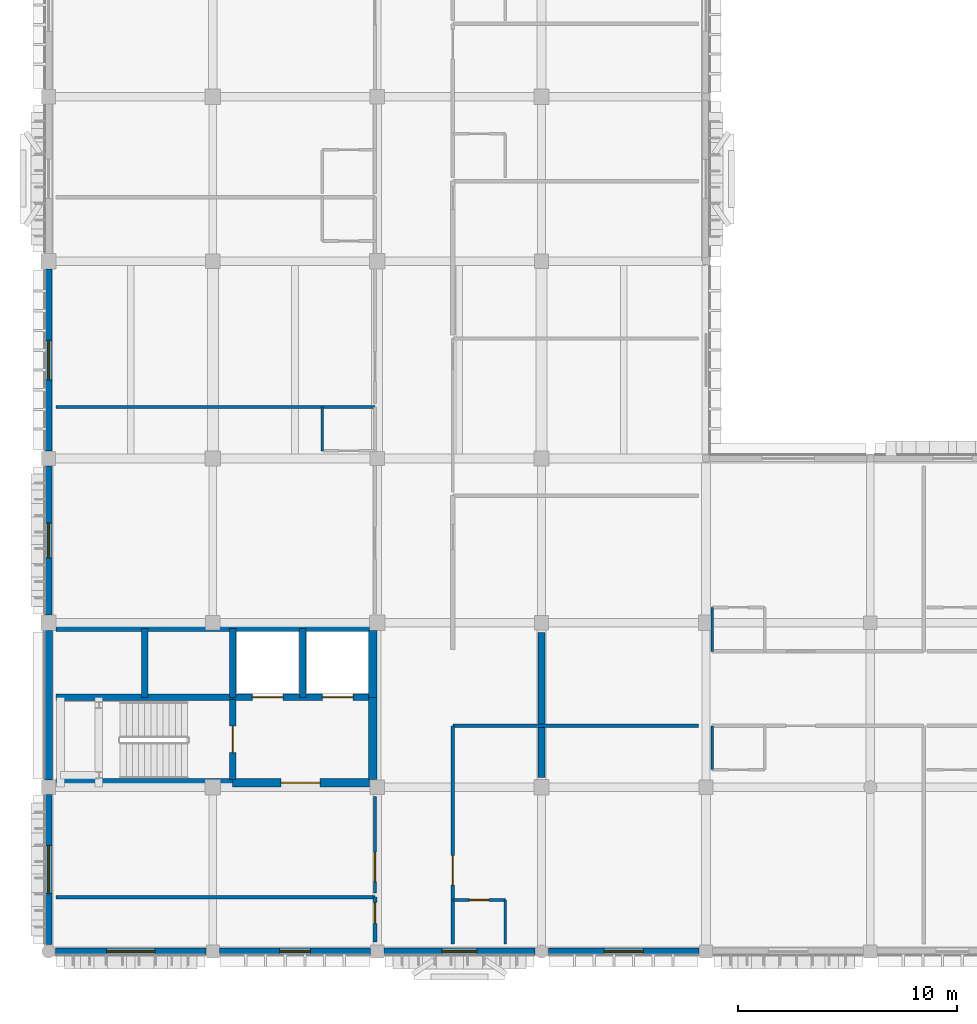
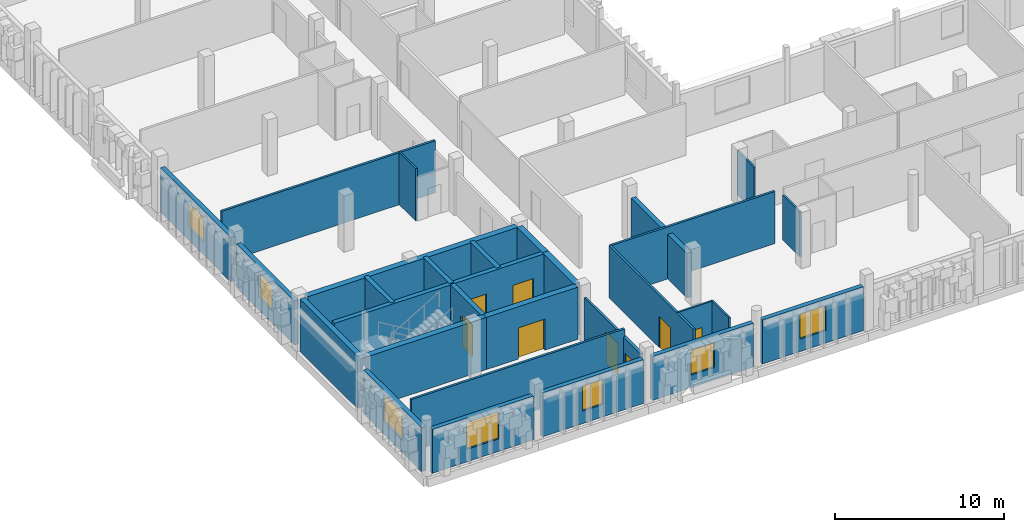
# One storey, part 15 of 48: 31 walls, 8 doors, 7 windows, 15 openings.
"""IFC4 building model written with IfcOpenShell, lengths in metres."""

from ifc_helpers import new_model, si_unit, direction, frame, frame_2d, origin, place, context, subcontext, project, spatial, rectangle, extrude, material, layer, layer_set, type_object, element, fill, save


model = new_model("IFC4")

# Units and contexts
model_context = context("Model", 3, precision=1e-05, world=origin(), true_north=direction((0.0, 1.0)))
body_context = subcontext(model_context, "Body", "Model", "MODEL_VIEW")
ifc_project = project(units=[si_unit("LENGTHUNIT", "METRE"), si_unit("AREAUNIT", "SQUARE_METRE"), si_unit("VOLUMEUNIT", "CUBIC_METRE"), si_unit("PLANEANGLEUNIT", "RADIAN"), si_unit("MASSUNIT", "GRAM", prefix="KILO")], contexts=[model_context])

# Site, building, storey
site_placement = place(None, origin())
site = spatial("IfcSite", under=ifc_project, at=site_placement, CompositionType="ELEMENT")
building_placement = place(site_placement, origin())
building = spatial("IfcBuilding", under=site, at=building_placement, Name="Dalvernix Boulevard General Hospital", CompositionType="ELEMENT")
storey_placement = place(building_placement, frame((0.0, 0.0, 17.85009765625)))
storey = spatial("IfcBuildingStorey", under=building, at=storey_placement, Name="L04", CompositionType="ELEMENT", Elevation=17.85009765625)

# Wall
ifc_material_1 = material(Name="Concrete C40/50", Category="concrete")
ifc_layer_1 = layer(ifc_material_1, 0.39990234375)
ifc_layer_set_1 = layer_set([ifc_layer_1], Name="Concrete C40/50 (WAL-CSW-01)")
wall_type_1 = type_object("IfcWallType", Name="WAL-CSW-01", PredefinedType="SHEAR", material=ifc_layer_set_1)
wall_1_placement = place(storey_placement, frame((0.35009765625, 7.699951171875, 0.0), z_axis=(0.0, 0.0, 1.0), x_axis=(1.0, 0.0, 0.0)))
element("IfcWall", 1, at=wall_1_placement, inside=storey, type_object=wall_type_1, Name="L04 C1 south stairwell wall", PredefinedType="SHEAR", context=body_context, shape_type="SweptSolid", body=[
    extrude(rectangle(XDim=8.0498046875, YDim=0.39990234375, at=frame_2d((4.02490234375, 0.0))), origin(), (0.0, 0.0, 1.0), 3.77001953125),
])

# Wall, opening, door
wall_2_placement = place(storey_placement, frame((8.39990234375, 7.699951171875, 0.0), z_axis=(0.0, 0.0, 1.0), x_axis=(1.0, 0.0, 0.0)))
wall_2 = element("IfcWall", 2, at=wall_2_placement, inside=storey, type_object=wall_type_1, Name="L04 C1 south firefighting lobby wall", PredefinedType="SHEAR", context=body_context, shape_type="SweptSolid", body=[
    extrude(rectangle(XDim=6.25, YDim=0.39990234375, at=frame_2d((3.125, 0.0))), origin(), (0.0, 0.0, 1.0), 3.77001953125),
])
opening_1_placement = place(wall_2_placement, frame((2.199951171875, 0.0, 0.0)))
opening_1 = element("IfcOpeningElement", 3, at=opening_1_placement, cuts=wall_2, Name="Opening FD-01", PredefinedType="OPENING", context=body_context, shape_type="SweptSolid", body=[
    extrude(rectangle(XDim=1.800048828125, YDim=2.25, at=frame_2d((0.89990234375, 1.125))), frame((0.0, 0.2099609375, 0.0), z_axis=(0.0, -1.0, 0.0), x_axis=(1.0, 0.0, 0.0)), (0.0, 0.0, 1.0), 0.419921875),
])
ifc_material_2 = material(Name="Hospital laminate acoustic timber and steel frame", Category="steel")
door_type_1 = type_object("IfcDoorType", Name="DR-FD-01", OperationType="DOUBLE_DOOR_SINGLE_SWING", PredefinedType="DOOR", material=ifc_material_2)
door_1_placement = place(opening_1_placement, origin())
door_1 = element("IfcDoor", 4, at=door_1_placement, inside=storey, type_object=door_type_1, Name="L04 C1 firefighting lobby door", OperationType="DOUBLE_DOOR_SINGLE_SWING", OverallHeight=2.25, OverallWidth=1.800048828125, PredefinedType="DOOR", context=body_context, shape_type="SweptSolid", body=[
    extrude(rectangle(XDim=1.800048828125, YDim=2.25, at=frame_2d((0.89990234375, 1.125))), frame((0.0, 0.02490234375, 0.0), z_axis=(0.0, -1.0, 0.0), x_axis=(1.0, 0.0, 0.0)), (0.0, 0.0, 1.0), 0.050048828125),
])
fill(opening_1, door_1)

# Walls
wall_3_placement = place(storey_placement, frame((0.35009765625, 14.800048828125, 0.0), z_axis=(0.0, 0.0, 1.0), x_axis=(1.0, 0.0, 0.0)))
element("IfcWall", 5, at=wall_3_placement, inside=storey, type_object=wall_type_1, Name="L04 C1 north shaft core wall", PredefinedType="SHEAR", context=body_context, shape_type="SweptSolid", body=[
    extrude(rectangle(XDim=14.2998046875, YDim=0.39990234375, at=frame_2d((7.14990234375, 0.0))), origin(), (0.0, 0.0, 1.0), 3.77001953125),
])
wall_4_placement = place(storey_placement, frame((14.800048828125, 7.85009765625, 0.0), z_axis=(0.0, 0.0, 1.0), x_axis=(0.0, 1.0, 0.0)))
element("IfcWall", 6, at=wall_4_placement, inside=storey, type_object=wall_type_1, Name="L04 C1 east lobby core wall", PredefinedType="SHEAR", context=body_context, shape_type="SweptSolid", body=[
    extrude(rectangle(XDim=3.75, YDim=0.39990234375, at=frame_2d((1.875, 0.0))), origin(), (0.0, 0.0, 1.0), 3.77001953125),
])
wall_5_placement = place(storey_placement, frame((14.800048828125, 11.60009765625, 0.0), z_axis=(0.0, 0.0, 1.0), x_axis=(0.0, 1.0, 0.0)))
element("IfcWall", 7, at=wall_5_placement, inside=storey, type_object=wall_type_1, Name="L04 C1 east shaft core wall", PredefinedType="SHEAR", context=body_context, shape_type="SweptSolid", body=[
    extrude(rectangle(XDim=3.0498046875, YDim=0.39990234375, at=frame_2d((1.52490234375, 0.0))), origin(), (0.0, 0.0, 1.0), 3.77001953125),
])
ifc_layer_2 = layer(ifc_material_1, 0.300048828125)
ifc_layer_set_2 = layer_set([ifc_layer_2], Name="Concrete C40/50 (WAL-CSW-02)")
wall_type_2 = type_object("IfcWallType", Name="WAL-CSW-02", PredefinedType="SHEAR", material=ifc_layer_set_2)
wall_6_placement = place(storey_placement, frame((0.35009765625, 11.60009765625, 0.0), z_axis=(0.0, 0.0, 1.0), x_axis=(1.0, 0.0, 0.0)))
element("IfcWall", 8, at=wall_6_placement, inside=storey, type_object=wall_type_2, Name="L04 C1 riser spine wall", PredefinedType="SHEAR", context=body_context, shape_type="SweptSolid", body=[
    extrude(rectangle(XDim=8.0498046875, YDim=0.300048828125, at=frame_2d((4.02490234375, 0.0))), origin(), (0.0, 0.0, 1.0), 3.77001953125),
])

# Wall, openings, doors
wall_7_placement = place(storey_placement, frame((8.39990234375, 11.60009765625, 0.0), z_axis=(0.0, 0.0, 1.0), x_axis=(1.0, 0.0, 0.0)))
wall_7 = element("IfcWall", 9, at=wall_7_placement, inside=storey, type_object=wall_type_2, Name="L04 C1 lift shaft front wall", PredefinedType="SHEAR", context=body_context, shape_type="SweptSolid", body=[
    extrude(rectangle(XDim=6.25, YDim=0.300048828125, at=frame_2d((3.125, 0.0))), origin(), (0.0, 0.0, 1.0), 3.77001953125),
])
opening_2_placement = place(wall_7_placement, frame((0.89990234375, 0.0, 0.0)))
opening_2 = element("IfcOpeningElement", 10, at=opening_2_placement, cuts=wall_7, Name="Opening LD-FFL-01-L04", PredefinedType="OPENING", context=body_context, shape_type="SweptSolid", body=[
    extrude(rectangle(XDim=1.39990234375, YDim=2.25, at=frame_2d((0.699951171875, 1.125))), frame((0.0, 0.159912109375, 0.0), z_axis=(0.0, -1.0, 0.0), x_axis=(1.0, 0.0, 0.0)), (0.0, 0.0, 1.0), 0.320068359375),
])
opening_3_placement = place(wall_7_placement, frame((4.10009765625, 0.0, 0.0)))
opening_3 = element("IfcOpeningElement", 11, at=opening_3_placement, cuts=wall_7, Name="Opening LD-FFL-02-L04", PredefinedType="OPENING", context=body_context, shape_type="SweptSolid", body=[
    extrude(rectangle(XDim=1.39990234375, YDim=2.25, at=frame_2d((0.699951171875, 1.125))), frame((0.0, 0.159912109375, 0.0), z_axis=(0.0, -1.0, 0.0), x_axis=(1.0, 0.0, 0.0)), (0.0, 0.0, 1.0), 0.320068359375),
])
ifc_material_3 = material(Name="Stainless-clad steel", Category="steel")
door_type_2 = type_object("IfcDoorType", Name="DR-LD-01", OperationType="DOUBLE_DOOR_SLIDING", PredefinedType="DOOR", material=ifc_material_3)
door_2_placement = place(opening_2_placement, origin())
door_2 = element("IfcDoor", 12, at=door_2_placement, inside=storey, type_object=door_type_2, Name="L04 Lift FFL-01 sliding landing door", OperationType="DOUBLE_DOOR_SLIDING", OverallHeight=2.25, OverallWidth=1.39990234375, PredefinedType="DOOR", context=body_context, shape_type="SweptSolid", body=[
    extrude(rectangle(XDim=1.39990234375, YDim=2.25, at=frame_2d((0.699951171875, 1.125))), frame((0.0, 0.02490234375, 0.0), z_axis=(0.0, -1.0, 0.0), x_axis=(1.0, 0.0, 0.0)), (0.0, 0.0, 1.0), 0.050048828125),
])
fill(opening_2, door_2)
door_3_placement = place(opening_3_placement, origin())
door_3 = element("IfcDoor", 13, at=door_3_placement, inside=storey, type_object=door_type_2, Name="L04 Lift FFL-02 sliding landing door", OperationType="DOUBLE_DOOR_SLIDING", OverallHeight=2.25, OverallWidth=1.39990234375, PredefinedType="DOOR", context=body_context, shape_type="SweptSolid", body=[
    extrude(rectangle(XDim=1.39990234375, YDim=2.25, at=frame_2d((0.699951171875, 1.125))), frame((0.0, 0.02490234375, 0.0), z_axis=(0.0, -1.0, 0.0), x_axis=(1.0, 0.0, 0.0)), (0.0, 0.0, 1.0), 0.050048828125),
])
fill(opening_3, door_3)

# Wall, opening, door
wall_8_placement = place(storey_placement, frame((8.39990234375, 11.5, 0.0), z_axis=(0.0, 0.0, 1.0), x_axis=(0.0, -1.0, 0.0)))
wall_8 = element("IfcWall", 14, at=wall_8_placement, inside=storey, type_object=wall_type_2, Name="L04 C1 stairwell fire wall", PredefinedType="SHEAR", context=body_context, shape_type="SweptSolid", body=[
    extrude(rectangle(XDim=3.64990234375, YDim=0.300048828125, at=frame_2d((1.824951171875, 0.0))), origin(), (0.0, 0.0, 1.0), 3.77001953125),
])
opening_4_placement = place(wall_8_placement, frame((1.219970703125, 0.0, 0.0)))
opening_4 = element("IfcOpeningElement", 15, at=opening_4_placement, cuts=wall_8, Name="Opening FD-02", PredefinedType="OPENING", context=body_context, shape_type="SweptSolid", body=[
    extrude(rectangle(XDim=1.199951171875, YDim=2.25, at=frame_2d((0.60009765625, 1.125))), frame((0.0, 0.159912109375, 0.0), z_axis=(0.0, -1.0, 0.0), x_axis=(1.0, 0.0, 0.0)), (0.0, 0.0, 1.0), 0.320068359375),
])
door_type_3 = type_object("IfcDoorType", Name="DR-FD-02", OperationType="NOTDEFINED", PredefinedType="DOOR", material=ifc_material_2)
door_4_placement = place(opening_4_placement, origin())
door_4 = element("IfcDoor", 16, at=door_4_placement, inside=storey, type_object=door_type_3, Name="L04 Stair ST-01 fire door", OperationType="SINGLE_SWING_RIGHT", OverallHeight=2.25, OverallWidth=1.199951171875, PredefinedType="DOOR", context=body_context, shape_type="SweptSolid", body=[
    extrude(rectangle(XDim=1.199951171875, YDim=2.25, at=frame_2d((0.60009765625, 1.125))), frame((0.0, 0.02490234375, 0.0), z_axis=(0.0, -1.0, 0.0), x_axis=(1.0, 0.0, 0.0)), (0.0, 0.0, 1.0), 0.050048828125),
])
fill(opening_4, door_4)

# Walls
for number, where, z_axis, x_axis, name in (
    (17, (4.39990234375, 11.60009765625, 0.0), (0.0, 0.0, 1.0), (0.0, 1.0, 0.0), "L04 C1 shaft divider R1"),
    (18, (8.39990234375, 11.60009765625, 0.0), (0.0, 0.0, 1.0), (0.0, 1.0, 0.0), "L04 C1 shaft divider R2"),
    (19, (11.60009765625, 11.60009765625, 0.0), (0.0, 0.0, 1.0), (0.0, 1.0, 0.0), "L04 C1 shaft divider L1"),
):
    element("IfcWall", number, at=place(storey_placement, frame(where, z_axis=z_axis, x_axis=x_axis)), inside=storey, type_object=wall_type_2, Name=name, PredefinedType="SHEAR", context=body_context, shape_type="SweptSolid", body=[
        extrude(rectangle(XDim=3.14990234375, YDim=0.300048828125, at=frame_2d((1.574951171875, 0.0))), origin(), (0.0, 0.0, 1.0), 3.77001953125),
    ])
ifc_layer_3 = layer(ifc_material_1, 0.35009765625)
ifc_layer_set_3 = layer_set([ifc_layer_3], Name="Concrete C40/50 (WAL-ESW-01)")
wall_type_3 = type_object("IfcWallType", Name="WAL-ESW-01", PredefinedType="SHEAR", material=ifc_layer_set_3)
wall_9_placement = place(storey_placement, frame((0.0, 7.8349609375, 0.0), z_axis=(0.0, 0.0, 1.0), x_axis=(0.0, 1.0, 0.0)))
element("IfcWall", 20, at=wall_9_placement, inside=storey, type_object=wall_type_3, Name="L04 core perimeter shear wall W 0-1", PredefinedType="SHEAR", context=body_context, shape_type="SweptSolid", body=[
    extrude(rectangle(XDim=6.804931640625, YDim=0.35009765625, at=frame_2d((3.40234375, 0.0))), origin(), (0.0, 0.0, 1.0), 3.77001953125),
])
ifc_layer_4 = layer(ifc_material_1, 0.320068359375)
ifc_layer_set_4 = layer_set([ifc_layer_4], Name="Concrete C40/50 (WAL-ESW-02)")
wall_type_4 = type_object("IfcWallType", Name="WAL-ESW-02", PredefinedType="SHEAR", material=ifc_layer_set_4)
wall_10_placement = place(storey_placement, frame((22.5, 7.949951171875, 0.0), z_axis=(0.0, 0.0, 1.0), x_axis=(0.0, 1.0, 0.0)))
element("IfcWall", 21, at=wall_10_placement, inside=storey, type_object=wall_type_4, Name="L04 reinforced concrete shear wall 1", PredefinedType="SHEAR", context=body_context, shape_type="SweptSolid", body=[
    extrude(rectangle(XDim=6.60009765625, YDim=0.320068359375, at=frame_2d((3.300048828125, 0.0))), origin(), (0.0, 0.0, 1.0), 3.219970703125),
])

# Wall, opening, window
ifc_material_4 = material(Name="Pressed Catalan clay brick and ceramic spandrel wall C35/45", Category="masonry")
ifc_layer_5 = layer(ifc_material_4, 0.300048828125)
ifc_layer_set_5 = layer_set([ifc_layer_5], Name="Pressed Catalan clay brick and ceramic spandrel wall C35/45 (WAL-EW-02)")
wall_type_5 = type_object("IfcWallType", Name="WAL-EW-02", PredefinedType="STANDARD", material=ifc_layer_set_5)
wall_11_placement = place(storey_placement, frame((7.18994140625, 0.0, 0.0), z_axis=(0.0, 0.0, 1.0), x_axis=(-1.0, 0.0, 0.0)))
wall_11 = element("IfcWall", 22, at=wall_11_placement, inside=storey, type_object=wall_type_5, Name="L04 Catalan brick external wall S 0-0", PredefinedType="STANDARD", context=body_context, shape_type="SweptSolid", body=[
    extrude(rectangle(XDim=6.8798828125, YDim=0.300048828125, at=frame_2d((3.43994140625, 0.0))), origin(), (0.0, 0.0, 1.0), 3.169921875),
])
opening_5_placement = place(wall_11_placement, frame((2.340087890625, 0.0, 0.89990234375)))
opening_5 = element("IfcOpeningElement", 23, at=opening_5_placement, cuts=wall_11, Name="Opening WN-13", PredefinedType="OPENING", context=body_context, shape_type="SweptSolid", body=[
    extrude(rectangle(XDim=2.199951171875, YDim=1.949951171875, at=frame_2d((1.10009765625, 0.97509765625))), frame((0.0, 0.159912109375, 0.0), z_axis=(0.0, -1.0, 0.0), x_axis=(1.0, 0.0, 0.0)), (0.0, 0.0, 1.0), 0.320068359375),
])
ifc_material_5 = material(Name="Thermally broken aluminium frame with solar-control double glazing", Category="aluminium")
window_type_1 = type_object("IfcWindowType", Name="WIN-WN-13", PartitioningType="SINGLE_PANEL", PredefinedType="WINDOW", material=ifc_material_5)
window_1_placement = place(opening_5_placement, origin())
window_1 = element("IfcWindow", 24, at=window_1_placement, inside=storey, type_object=window_type_1, Name="L04 clinical window WN-13 S 0-0", OverallHeight=1.949951171875, OverallWidth=2.199951171875, PartitioningType="SINGLE_PANEL", PredefinedType="WINDOW", context=body_context, shape_type="SweptSolid", body=[
    extrude(rectangle(XDim=2.199951171875, YDim=1.949951171875, at=frame_2d((1.10009765625, 0.97509765625))), frame((0.0, 0.030029296875, 0.0), z_axis=(0.0, -1.0, 0.0), x_axis=(1.0, 0.0, 0.0)), (0.0, 0.0, 1.0), 0.06005859375),
])
fill(opening_5, window_1)

wall_12_placement = place(storey_placement, frame((0.0, 0.31005859375, 0.0), z_axis=(0.0, 0.0, 1.0), x_axis=(0.0, 1.0, 0.0)))
wall_12 = element("IfcWall", 25, at=wall_12_placement, inside=storey, type_object=wall_type_5, Name="L04 Catalan brick external wall W 0-0", PredefinedType="STANDARD", context=body_context, shape_type="SweptSolid", body=[
    extrude(rectangle(XDim=6.85498046875, YDim=0.300048828125, at=frame_2d((3.427490234375, 0.0))), origin(), (0.0, 0.0, 1.0), 3.169921875),
])
opening_6_placement = place(wall_12_placement, frame((2.327392578125, 0.0, 0.89990234375)))
opening_6 = element("IfcOpeningElement", 26, at=opening_6_placement, cuts=wall_12, Name="Opening WN-13", PredefinedType="OPENING", context=body_context, shape_type="SweptSolid", body=[
    extrude(rectangle(XDim=2.199951171875, YDim=1.949951171875, at=frame_2d((1.10009765625, 0.97509765625))), frame((0.0, 0.159912109375, 0.0), z_axis=(0.0, -1.0, 0.0), x_axis=(1.0, 0.0, 0.0)), (0.0, 0.0, 1.0), 0.320068359375),
])
window_2_placement = place(opening_6_placement, origin())
window_2 = element("IfcWindow", 27, at=window_2_placement, inside=storey, type_object=window_type_1, Name="L04 clinical window WN-13 W 0-0", OverallHeight=1.949951171875, OverallWidth=2.199951171875, PartitioningType="SINGLE_PANEL", PredefinedType="WINDOW", context=body_context, shape_type="SweptSolid", body=[
    extrude(rectangle(XDim=2.199951171875, YDim=1.949951171875, at=frame_2d((1.10009765625, 0.97509765625))), frame((0.0, 0.030029296875, 0.0), z_axis=(0.0, -1.0, 0.0), x_axis=(1.0, 0.0, 0.0)), (0.0, 0.0, 1.0), 0.06005859375),
])
fill(opening_6, window_2)

wall_13_placement = place(storey_placement, frame((0.0, 15.360107421875, 0.0), z_axis=(0.0, 0.0, 1.0), x_axis=(0.0, 1.0, 0.0)))
wall_13 = element("IfcWall", 28, at=wall_13_placement, inside=storey, type_object=wall_type_5, Name="L04 Catalan brick external wall W 0-2", PredefinedType="STANDARD", context=body_context, shape_type="SweptSolid", body=[
    extrude(rectangle(XDim=6.804931640625, YDim=0.300048828125, at=frame_2d((3.40234375, 0.0))), origin(), (0.0, 0.0, 1.0), 3.169921875),
])
opening_7_placement = place(wall_13_placement, frame((2.6025390625, 0.0, 0.89990234375)))
opening_7 = element("IfcOpeningElement", 29, at=opening_7_placement, cuts=wall_13, Name="Opening WN-15", PredefinedType="OPENING", context=body_context, shape_type="SweptSolid", body=[
    extrude(rectangle(XDim=1.60009765625, YDim=1.800048828125, at=frame_2d((0.800048828125, 0.89990234375))), frame((0.0, 0.159912109375, 0.0), z_axis=(0.0, -1.0, 0.0), x_axis=(1.0, 0.0, 0.0)), (0.0, 0.0, 1.0), 0.320068359375),
])
window_type_2 = type_object("IfcWindowType", Name="WIN-WN-15", PartitioningType="SINGLE_PANEL", PredefinedType="WINDOW", material=ifc_material_5)
window_3_placement = place(opening_7_placement, origin())
window_3 = element("IfcWindow", 30, at=window_3_placement, inside=storey, type_object=window_type_2, Name="L04 clinical window WN-15 W 0-2", OverallHeight=1.800048828125, OverallWidth=1.60009765625, PartitioningType="SINGLE_PANEL", PredefinedType="WINDOW", context=body_context, shape_type="SweptSolid", body=[
    extrude(rectangle(XDim=1.60009765625, YDim=1.800048828125, at=frame_2d((0.800048828125, 0.89990234375))), frame((0.0, 0.030029296875, 0.0), z_axis=(0.0, -1.0, 0.0), x_axis=(1.0, 0.0, 0.0)), (0.0, 0.0, 1.0), 0.06005859375),
])
fill(opening_7, window_3)

wall_14_placement = place(storey_placement, frame((0.0, 22.8349609375, 0.0), z_axis=(0.0, 0.0, 1.0), x_axis=(0.0, 1.0, 0.0)))
wall_14 = element("IfcWall", 31, at=wall_14_placement, inside=storey, type_object=wall_type_5, Name="L04 Catalan brick external wall W 0-3", PredefinedType="STANDARD", context=body_context, shape_type="SweptSolid", body=[
    extrude(rectangle(XDim=8.304931640625, YDim=0.300048828125, at=frame_2d((4.15234375, 0.0))), origin(), (0.0, 0.0, 1.0), 3.219970703125),
])
opening_8_placement = place(wall_14_placement, frame((3.25244140625, 0.0, 0.89990234375)))
opening_8 = element("IfcOpeningElement", 32, at=opening_8_placement, cuts=wall_14, Name="Opening WN-16", PredefinedType="OPENING", context=body_context, shape_type="SweptSolid", body=[
    extrude(rectangle(XDim=1.800048828125, YDim=1.800048828125, at=frame_2d((0.89990234375, 0.89990234375))), frame((0.0, 0.159912109375, 0.0), z_axis=(0.0, -1.0, 0.0), x_axis=(1.0, 0.0, 0.0)), (0.0, 0.0, 1.0), 0.320068359375),
])
window_type_3 = type_object("IfcWindowType", Name="WIN-WN-16", PartitioningType="SINGLE_PANEL", PredefinedType="WINDOW", material=ifc_material_5)
window_4_placement = place(opening_8_placement, origin())
window_4 = element("IfcWindow", 33, at=window_4_placement, inside=storey, type_object=window_type_3, Name="L04 clinical window WN-16 W 0-3", OverallHeight=1.800048828125, OverallWidth=1.800048828125, PartitioningType="SINGLE_PANEL", PredefinedType="WINDOW", context=body_context, shape_type="SweptSolid", body=[
    extrude(rectangle(XDim=1.800048828125, YDim=1.800048828125, at=frame_2d((0.89990234375, 0.89990234375))), frame((0.0, 0.030029296875, 0.0), z_axis=(0.0, -1.0, 0.0), x_axis=(1.0, 0.0, 0.0)), (0.0, 0.0, 1.0), 0.06005859375),
])
fill(opening_8, window_4)

wall_15_placement = place(storey_placement, frame((14.68994140625, 0.0, 0.0), z_axis=(0.0, 0.0, 1.0), x_axis=(-1.0, 0.0, 0.0)))
wall_15 = element("IfcWall", 34, at=wall_15_placement, inside=storey, type_object=wall_type_5, Name="L04 Catalan brick external wall S 1-0", PredefinedType="STANDARD", context=body_context, shape_type="SweptSolid", body=[
    extrude(rectangle(XDim=6.8798828125, YDim=0.300048828125, at=frame_2d((3.43994140625, 0.0))), origin(), (0.0, 0.0, 1.0), 3.169921875),
])
opening_9_placement = place(wall_15_placement, frame((2.739990234375, 0.0, 0.89990234375)))
opening_9 = element("IfcOpeningElement", 35, at=opening_9_placement, cuts=wall_15, Name="Opening WN-14", PredefinedType="OPENING", context=body_context, shape_type="SweptSolid", body=[
    extrude(rectangle(XDim=1.39990234375, YDim=1.800048828125, at=frame_2d((0.699951171875, 0.89990234375))), frame((0.0, 0.159912109375, 0.0), z_axis=(0.0, -1.0, 0.0), x_axis=(1.0, 0.0, 0.0)), (0.0, 0.0, 1.0), 0.320068359375),
])
window_type_4 = type_object("IfcWindowType", Name="WIN-WN-14", PartitioningType="SINGLE_PANEL", PredefinedType="WINDOW", material=ifc_material_5)
window_5_placement = place(opening_9_placement, origin())
window_5 = element("IfcWindow", 36, at=window_5_placement, inside=storey, type_object=window_type_4, Name="L04 clinical window WN-14 S 1-0", OverallHeight=1.800048828125, OverallWidth=1.39990234375, PartitioningType="SINGLE_PANEL", PredefinedType="WINDOW", context=body_context, shape_type="SweptSolid", body=[
    extrude(rectangle(XDim=1.39990234375, YDim=1.800048828125, at=frame_2d((0.699951171875, 0.89990234375))), frame((0.0, 0.030029296875, 0.0), z_axis=(0.0, -1.0, 0.0), x_axis=(1.0, 0.0, 0.0)), (0.0, 0.0, 1.0), 0.06005859375),
])
fill(opening_9, window_5)

wall_16_placement = place(storey_placement, frame((22.18994140625, 0.0, 0.0), z_axis=(0.0, 0.0, 1.0), x_axis=(-1.0, 0.0, 0.0)))
wall_16 = element("IfcWall", 37, at=wall_16_placement, inside=storey, type_object=wall_type_5, Name="L04 Catalan brick external wall S 2-0", PredefinedType="STANDARD", context=body_context, shape_type="SweptSolid", body=[
    extrude(rectangle(XDim=6.8798828125, YDim=0.300048828125, at=frame_2d((3.43994140625, 0.0))), origin(), (0.0, 0.0, 1.0), 3.169921875),
])
opening_10_placement = place(wall_16_placement, frame((2.639892578125, 0.0, 0.89990234375)))
opening_10 = element("IfcOpeningElement", 38, at=opening_10_placement, cuts=wall_16, Name="Opening WN-15", PredefinedType="OPENING", context=body_context, shape_type="SweptSolid", body=[
    extrude(rectangle(XDim=1.60009765625, YDim=1.800048828125, at=frame_2d((0.800048828125, 0.89990234375))), frame((0.0, 0.159912109375, 0.0), z_axis=(0.0, -1.0, 0.0), x_axis=(1.0, 0.0, 0.0)), (0.0, 0.0, 1.0), 0.320068359375),
])
window_6_placement = place(opening_10_placement, origin())
window_6 = element("IfcWindow", 39, at=window_6_placement, inside=storey, type_object=window_type_2, Name="L04 clinical window WN-15 S 2-0", OverallHeight=1.800048828125, OverallWidth=1.60009765625, PartitioningType="SINGLE_PANEL", PredefinedType="WINDOW", context=body_context, shape_type="SweptSolid", body=[
    extrude(rectangle(XDim=1.60009765625, YDim=1.800048828125, at=frame_2d((0.800048828125, 0.89990234375))), frame((0.0, 0.030029296875, 0.0), z_axis=(0.0, -1.0, 0.0), x_axis=(1.0, 0.0, 0.0)), (0.0, 0.0, 1.0), 0.06005859375),
])
fill(opening_10, window_6)

wall_17_placement = place(storey_placement, frame((29.68994140625, 0.0, 0.0), z_axis=(0.0, 0.0, 1.0), x_axis=(-1.0, 0.0, 0.0)))
wall_17 = element("IfcWall", 40, at=wall_17_placement, inside=storey, type_object=wall_type_5, Name="L04 Catalan brick external wall S 3-0", PredefinedType="STANDARD", context=body_context, shape_type="SweptSolid", body=[
    extrude(rectangle(XDim=6.8798828125, YDim=0.300048828125, at=frame_2d((3.43994140625, 0.0))), origin(), (0.0, 0.0, 1.0), 3.169921875),
])
opening_11_placement = place(wall_17_placement, frame((2.5400390625, 0.0, 0.89990234375)))
opening_11 = element("IfcOpeningElement", 41, at=opening_11_placement, cuts=wall_17, Name="Opening WN-16", PredefinedType="OPENING", context=body_context, shape_type="SweptSolid", body=[
    extrude(rectangle(XDim=1.800048828125, YDim=1.800048828125, at=frame_2d((0.89990234375, 0.89990234375))), frame((0.0, 0.159912109375, 0.0), z_axis=(0.0, -1.0, 0.0), x_axis=(1.0, 0.0, 0.0)), (0.0, 0.0, 1.0), 0.320068359375),
])
window_7_placement = place(opening_11_placement, origin())
window_7 = element("IfcWindow", 42, at=window_7_placement, inside=storey, type_object=window_type_3, Name="L04 clinical window WN-16 S 3-0", OverallHeight=1.800048828125, OverallWidth=1.800048828125, PartitioningType="SINGLE_PANEL", PredefinedType="WINDOW", context=body_context, shape_type="SweptSolid", body=[
    extrude(rectangle(XDim=1.800048828125, YDim=1.800048828125, at=frame_2d((0.89990234375, 0.89990234375))), frame((0.0, 0.030029296875, 0.0), z_axis=(0.0, -1.0, 0.0), x_axis=(1.0, 0.0, 0.0)), (0.0, 0.0, 1.0), 0.06005859375),
])
fill(opening_11, window_7)

# Wall, opening, door
ifc_material_6 = material(Name="Fire-compartment corridor masonry wall", Category="masonry")
ifc_layer_6 = layer(ifc_material_6, 0.199951171875)
ifc_layer_set_6 = layer_set([ifc_layer_6], Name="Fire-compartment corridor masonry wall (WAL-IW-02)")
wall_type_6 = type_object("IfcWallType", Name="WAL-IW-02", PredefinedType="STANDARD", material=ifc_layer_set_6)
wall_18_placement = place(storey_placement, frame((14.89990234375, 0.429931640625, 0.0), z_axis=(0.0, 0.0, 1.0), x_axis=(0.0, 1.0, 0.0)))
wall_18 = element("IfcWall", 43, at=wall_18_placement, inside=storey, type_object=wall_type_6, Name="L04 Accessible Public WC L04 West corridor wall", PredefinedType="STANDARD", context=body_context, shape_type="SweptSolid", body=[
    extrude(rectangle(XDim=2.050048828125, YDim=0.199951171875, at=frame_2d((1.02490234375, 0.0))), origin(), (0.0, 0.0, 1.0), 3.204833984375),
])
opening_12_placement = place(wall_18_placement, frame((0.85009765625, 0.0, 0.0)))
opening_12 = element("IfcOpeningElement", 44, at=opening_12_placement, cuts=wall_18, Name="Opening ID-06", PredefinedType="OPENING", context=body_context, shape_type="SweptSolid", body=[
    extrude(rectangle(XDim=0.949951171875, YDim=2.14990234375, at=frame_2d((0.47509765625, 1.074951171875))), frame((0.0, 0.10986328125, 0.0), z_axis=(0.0, -1.0, 0.0), x_axis=(1.0, 0.0, 0.0)), (0.0, 0.0, 1.0), 0.219970703125),
])
door_type_4 = type_object("IfcDoorType", Name="DR-ID-06", OperationType="NOTDEFINED", PredefinedType="DOOR", material=ifc_material_2)
door_5_placement = place(opening_12_placement, origin())
door_5 = element("IfcDoor", 45, at=door_5_placement, inside=storey, type_object=door_type_4, Name="L04 Accessible Public WC L04 West door", OperationType="SINGLE_SWING_LEFT", OverallHeight=2.14990234375, OverallWidth=0.949951171875, PredefinedType="DOOR", context=body_context, shape_type="SweptSolid", body=[
    extrude(rectangle(XDim=0.949951171875, YDim=2.14990234375, at=frame_2d((0.47509765625, 1.074951171875))), frame((0.0, 0.02490234375, 0.0), z_axis=(0.0, -1.0, 0.0), x_axis=(1.0, 0.0, 0.0)), (0.0, 0.0, 1.0), 0.050048828125),
])
fill(opening_12, door_5)

ifc_material_7 = material(Name="Acoustic double-stud gypsum inpatient partition")
ifc_layer_7 = layer(ifc_material_7, 0.14990234375)
ifc_layer_set_7 = layer_set([ifc_layer_7], Name="Acoustic double-stud gypsum inpatient partition (WAL-IW-04)")
wall_type_7 = type_object("IfcWallType", Name="WAL-IW-04", PredefinedType="PARTITIONING", material=ifc_layer_set_7)
wall_19_placement = place(storey_placement, frame((14.89990234375, 2.679931640625, 0.0), z_axis=(0.0, 0.0, 1.0), x_axis=(0.0, 1.0, 0.0)))
wall_19 = element("IfcWall", 46, at=wall_19_placement, inside=storey, type_object=wall_type_7, Name="L04 On-Call Duty Room L04 corridor wall", PredefinedType="PARTITIONING", context=body_context, shape_type="SweptSolid", body=[
    extrude(rectangle(XDim=4.39013671875, YDim=0.14990234375, at=frame_2d((2.195068359375, 0.0))), origin(), (0.0, 0.0, 1.0), 3.204833984375),
])
opening_13_placement = place(wall_19_placement, frame((0.50390625, 0.0, 0.0)))
opening_13 = element("IfcOpeningElement", 47, at=opening_13_placement, cuts=wall_19, Name="Opening ID-01", PredefinedType="OPENING", context=body_context, shape_type="SweptSolid", body=[
    extrude(rectangle(XDim=1.35009765625, YDim=2.25, at=frame_2d((0.675048828125, 1.125))), frame((0.0, 0.0849609375, 0.0), z_axis=(0.0, -1.0, 0.0), x_axis=(1.0, 0.0, 0.0)), (0.0, 0.0, 1.0), 0.169921875),
])
door_type_5 = type_object("IfcDoorType", Name="DR-ID-01", OperationType="NOTDEFINED", PredefinedType="DOOR", material=ifc_material_2)
door_6_placement = place(opening_13_placement, origin())
door_6 = element("IfcDoor", 48, at=door_6_placement, inside=storey, type_object=door_type_5, Name="L04 On-Call Duty Room L04 door", OperationType="SINGLE_SWING_RIGHT", OverallHeight=2.25, OverallWidth=1.35009765625, PredefinedType="DOOR", context=body_context, shape_type="SweptSolid", body=[
    extrude(rectangle(XDim=1.35009765625, YDim=2.25, at=frame_2d((0.675048828125, 1.125))), frame((0.0, 0.02490234375, 0.0), z_axis=(0.0, -1.0, 0.0), x_axis=(1.0, 0.0, 0.0)), (0.0, 0.0, 1.0), 0.050048828125),
])
fill(opening_13, door_6)

wall_20_placement = place(storey_placement, frame((18.449951171875, 10.300048828125, 0.0), z_axis=(0.0, 0.0, 1.0), x_axis=(0.0, -1.0, 0.0)))
wall_20 = element("IfcWall", 49, at=wall_20_placement, inside=storey, type_object=wall_type_7, Name="L04 Single Patient Room L04-ES0 corridor wall", PredefinedType="PARTITIONING", context=body_context, shape_type="SweptSolid", body=[
    extrude(rectangle(XDim=9.949951171875, YDim=0.14990234375, at=frame_2d((4.97509765625, 0.0))), origin(), (0.0, 0.0, 1.0), 3.7548828125),
])
opening_14_placement = place(wall_20_placement, frame((5.919921875, 0.0, 0.0)))
opening_14 = element("IfcOpeningElement", 50, at=opening_14_placement, cuts=wall_20, Name="Opening ID-01", PredefinedType="OPENING", context=body_context, shape_type="SweptSolid", body=[
    extrude(rectangle(XDim=1.35009765625, YDim=2.25, at=frame_2d((0.675048828125, 1.125))), frame((0.0, 0.0849609375, 0.0), z_axis=(0.0, -1.0, 0.0), x_axis=(1.0, 0.0, 0.0)), (0.0, 0.0, 1.0), 0.169921875),
])
door_7_placement = place(opening_14_placement, origin())
door_7 = element("IfcDoor", 51, at=door_7_placement, inside=storey, type_object=door_type_5, Name="L04 Single Patient Room L04-ES0 door", OperationType="SINGLE_SWING_LEFT", OverallHeight=2.25, OverallWidth=1.35009765625, PredefinedType="DOOR", context=body_context, shape_type="SweptSolid", body=[
    extrude(rectangle(XDim=1.35009765625, YDim=2.25, at=frame_2d((0.675048828125, 1.125))), frame((0.0, 0.02490234375, 0.0), z_axis=(0.0, -1.0, 0.0), x_axis=(1.0, 0.0, 0.0)), (0.0, 0.0, 1.0), 0.050048828125),
])
fill(opening_14, door_7)

# Walls
for number, where, z_axis, x_axis, name in (
    (52, (0.35009765625, 2.47998046875, 0.0), (0.0, 0.0, 1.0), (1.0, 0.0, 0.0), "L04 Accessible Public WC L04 West partition"),
    (53, (0.35009765625, 24.844970703125, 0.0), (0.0, 0.0, 1.0), (1.0, 0.0, 0.0), "L04 Four Bed Medical Inpatient Ward L04-W02 partition"),
):
    element("IfcWall", number, at=place(storey_placement, frame(where, z_axis=z_axis, x_axis=x_axis)), inside=storey, type_object=wall_type_7, Name=name, PredefinedType="PARTITIONING", context=body_context, shape_type="SweptSolid", body=[
        extrude(rectangle(XDim=14.5498046875, YDim=0.14990234375, at=frame_2d((7.27490234375, 0.0))), origin(), (0.0, 0.0, 1.0), 3.7548828125),
    ])
wall_21_placement = place(storey_placement, frame((18.449951171875, 10.300048828125, 0.0), z_axis=(0.0, 0.0, 1.0), x_axis=(1.0, 0.0, 0.0)))
element("IfcWall", 54, at=wall_21_placement, inside=storey, type_object=wall_type_7, Name="L04 Single Patient Room L04-ES0 partition", PredefinedType="PARTITIONING", context=body_context, shape_type="SweptSolid", body=[
    extrude(rectangle(XDim=11.199951171875, YDim=0.14990234375, at=frame_2d((5.60009765625, 0.0))), origin(), (0.0, 0.0, 1.0), 3.7548828125),
])
ifc_material_8 = material(Name="Moisture-resistant en-suite bathroom partition")
ifc_layer_8 = layer(ifc_material_8, 0.1201171875)
ifc_layer_set_8 = layer_set([ifc_layer_8], Name="Moisture-resistant en-suite bathroom partition (WAL-IW-05)")
wall_type_8 = type_object("IfcWallType", Name="WAL-IW-05", PredefinedType="PARTITIONING", material=ifc_layer_set_8)
wall_22_placement = place(storey_placement, frame((12.5, 22.844970703125, 0.0), z_axis=(0.0, 0.0, 1.0), x_axis=(0.0, 1.0, 0.0)))
element("IfcWall", 55, at=wall_22_placement, inside=storey, type_object=wall_type_8, Name="L04 en-suite bathroom side wall", PredefinedType="PARTITIONING", context=body_context, shape_type="SweptSolid", body=[
    extrude(rectangle(XDim=2.0, YDim=0.1201171875, at=frame_2d((1.0, 0.0))), origin(), (0.0, 0.0, 1.0), 3.7548828125),
])

# Wall, opening, door
wall_23_placement = place(storey_placement, frame((20.85009765625, 2.35009765625, 0.0), z_axis=(0.0, 0.0, 1.0), x_axis=(-1.0, 0.0, 0.0)))
wall_23 = element("IfcWall", 56, at=wall_23_placement, inside=storey, type_object=wall_type_8, Name="L04 en-suite bathroom door wall", PredefinedType="PARTITIONING", context=body_context, shape_type="SweptSolid", body=[
    extrude(rectangle(XDim=2.400146484375, YDim=0.1201171875, at=frame_2d((1.2001953125, 0.0))), origin(), (0.0, 0.0, 1.0), 3.7548828125),
])
opening_15_placement = place(wall_23_placement, frame((0.75, 0.0, 0.0)))
opening_15 = element("IfcOpeningElement", 57, at=opening_15_placement, cuts=wall_23, Name="Opening ID-05", PredefinedType="OPENING", context=body_context, shape_type="SweptSolid", body=[
    extrude(rectangle(XDim=0.89990234375, YDim=2.10009765625, at=frame_2d((0.449951171875, 1.050048828125))), frame((0.0, 0.070068359375, 0.0), z_axis=(0.0, -1.0, 0.0), x_axis=(1.0, 0.0, 0.0)), (0.0, 0.0, 1.0), 0.14013671875),
])
door_type_6 = type_object("IfcDoorType", Name="DR-ID-05", OperationType="NOTDEFINED", PredefinedType="DOOR", material=ifc_material_2)
door_8_placement = place(opening_15_placement, origin())
door_8 = element("IfcDoor", 58, at=door_8_placement, inside=storey, type_object=door_type_6, Name="L04 L04-RM-ES0 en-suite bathroom door", OperationType="SINGLE_SWING_RIGHT", OverallHeight=2.10009765625, OverallWidth=0.89990234375, PredefinedType="DOOR", context=body_context, shape_type="SweptSolid", body=[
    extrude(rectangle(XDim=0.89990234375, YDim=2.10009765625, at=frame_2d((0.449951171875, 1.050048828125))), frame((0.0, 0.02490234375, 0.0), z_axis=(0.0, -1.0, 0.0), x_axis=(1.0, 0.0, 0.0)), (0.0, 0.0, 1.0), 0.050048828125),
])
fill(opening_15, door_8)

# Walls
wall_24_placement = place(storey_placement, frame((20.85009765625, 0.35009765625, 0.0), z_axis=(0.0, 0.0, 1.0), x_axis=(0.0, 1.0, 0.0)))
element("IfcWall", 59, at=wall_24_placement, inside=storey, type_object=wall_type_8, Name="L04 en-suite bathroom side wall", PredefinedType="PARTITIONING", context=body_context, shape_type="SweptSolid", body=[
    extrude(rectangle(XDim=2.0, YDim=0.1201171875, at=frame_2d((1.0, 0.0))), origin(), (0.0, 0.0, 1.0), 3.7548828125),
])
wall_25_placement = place(storey_placement, frame((30.280029296875, 8.300048828125, 0.0), z_axis=(0.0, 0.0, 1.0), x_axis=(0.0, 1.0, 0.0)))
element("IfcWall", 60, at=wall_25_placement, inside=storey, type_object=wall_type_8, Name="L04 En-suite Bathroom SW-S1 enclosure wall W", PredefinedType="PARTITIONING", context=body_context, shape_type="SweptSolid", body=[
    extrude(rectangle(XDim=2.0, YDim=0.1201171875, at=frame_2d((1.0, 0.0))), origin(), (0.0, 0.0, 1.0), 3.2548828125),
])
wall_26_placement = place(storey_placement, frame((30.280029296875, 13.699951171875, 0.0), z_axis=(0.0, 0.0, 1.0), x_axis=(0.0, 1.0, 0.0)))
element("IfcWall", 61, at=wall_26_placement, inside=storey, type_object=wall_type_8, Name="L04 En-suite Bathroom SW-N1 enclosure wall W", PredefinedType="PARTITIONING", context=body_context, shape_type="SweptSolid", body=[
    extrude(rectangle(XDim=2.0, YDim=0.1201171875, at=frame_2d((1.0, 0.0))), origin(), (0.0, 0.0, 1.0), 3.204833984375),
])

save(model, "model.ifc")
